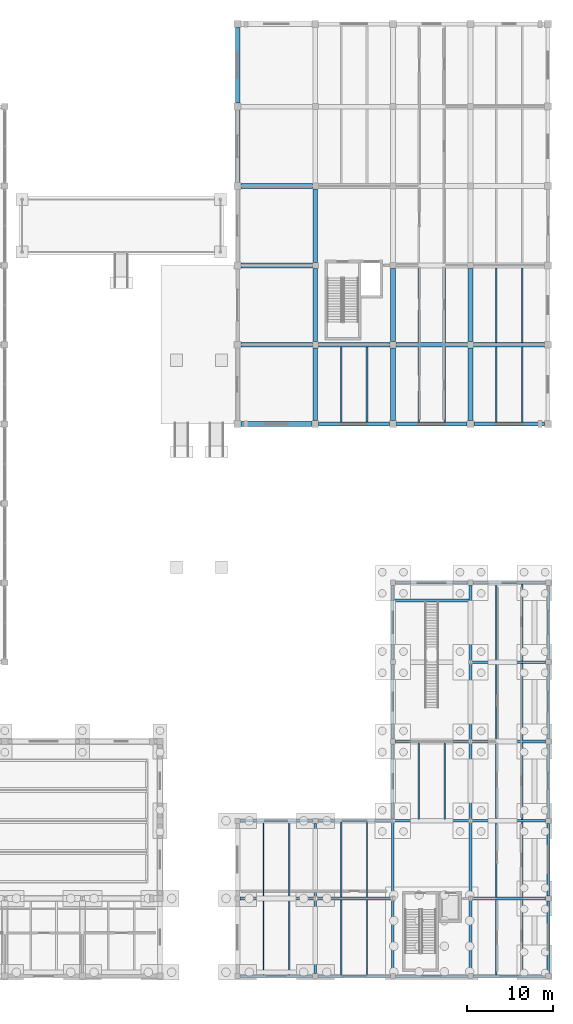
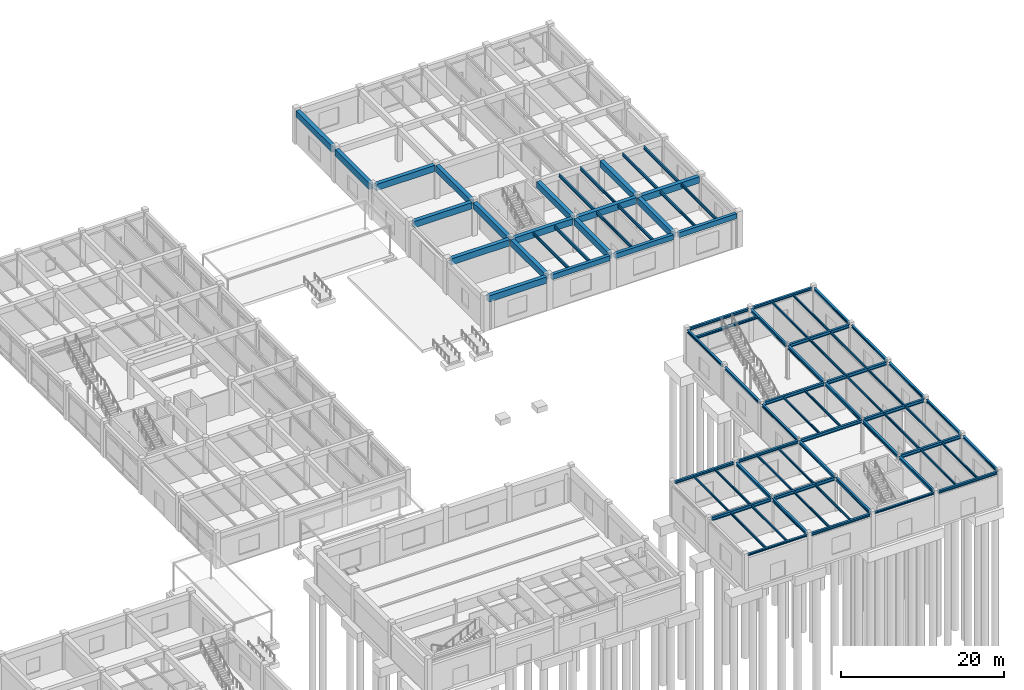
# One storey, part 34 of 76: 83 beams.
"""IFC4 building model written with IfcOpenShell, lengths in metres."""

import ifcopenshell
import ifcopenshell.guid

model = None  # the IFC model being written
_history = None  # IfcOwnerHistory: only IFC2X3 demands one
_inside = {}  # id of a spatial element -> (the spatial element, [elements in it])
_under = {}  # id of a project, library or spatial element -> (it, [spatial elements below it])
_declared = {}  # id of a project -> (the project, [libraries it declares])
_typed = {}  # id of a type object -> (the type object, [elements of that type])
_made_of = {}  # id of a material, layer set ... -> (it, [elements and type objects made of it])


def new_model(schema):
    """Start an empty IFC model of exactly this schema.

    Asked for "IFC4X3", IfcOpenShell would pick the latest addendum, in which some entities
    have other attributes; the version numbers below select the first issue.
    IFC2X3 requires an IfcOwnerHistory on every rooted entity: one is made here for all.
    """
    global model, _history
    if schema == "IFC4X3":
        model = ifcopenshell.file(schema_version=(4, 3, 0, 0))
    else:
        model = ifcopenshell.file(schema=schema)
    _inside.clear()
    _under.clear()
    _declared.clear()
    _typed.clear()
    _made_of.clear()
    _history = None
    if model.schema == "IFC2X3":
        org = make("IfcOrganization", Name="unknown")
        user = make(
            "IfcPersonAndOrganization",
            ThePerson=make("IfcPerson", FamilyName="unknown"),
            TheOrganization=org,
        )
        app = make(
            "IfcApplication",
            ApplicationDeveloper=org,
            Version="unknown",
            ApplicationFullName="unknown",
            ApplicationIdentifier="unknown",
        )
        _history = make(
            "IfcOwnerHistory",
            OwningUser=user,
            OwningApplication=app,
            ChangeAction="ADDED",
            CreationDate=0,
        )
    return model


def make(cls, **values):
    """One entity of the class cls with the attributes given. An attribute that is None is left unset."""
    return model.create_entity(
        cls, **{name: value for name, value in values.items() if value is not None}
    )


def rooted(cls, **values):
    """An entity with a GlobalId (a new one), such as an element, a storey or a relation."""
    return make(cls, GlobalId=ifcopenshell.guid.new(), OwnerHistory=_history, **values)


def si_unit(unit_type, name, prefix=None):
    """IfcSIUnit, for example si_unit("LENGTHUNIT", "METRE", prefix="MILLI")."""
    return make("IfcSIUnit", UnitType=unit_type, Prefix=prefix, Name=name)


def assignment(units):
    """IfcUnitAssignment: the units of a project."""
    return None if units is None else make("IfcUnitAssignment", Units=units)


def point(xyz):
    """IfcCartesianPoint."""
    return None if xyz is None else make("IfcCartesianPoint", Coordinates=xyz)


def direction(xyz):
    """IfcDirection."""
    return None if xyz is None else make("IfcDirection", DirectionRatios=xyz)


def frame(location, z_axis=None, x_axis=None):
    """IfcAxis2Placement3D, a coordinate frame: its origin and axes. An axis left out is left unset."""
    return make(
        "IfcAxis2Placement3D",
        Location=point(location),
        Axis=direction(z_axis),
        RefDirection=direction(x_axis),
    )


def frame_2d(location, x_axis=None):
    """IfcAxis2Placement2D, a coordinate frame in the plane: its origin and x axis."""
    return make(
        "IfcAxis2Placement2D", Location=point(location), RefDirection=direction(x_axis)
    )


def origin():
    """The frame at (0, 0, 0) with its axes left unset."""
    return frame((0.0, 0.0, 0.0))


def origin_2d():
    """The frame at (0, 0) in the plane with its x axis left unset."""
    return frame_2d((0.0, 0.0))


def place(relative_to, where):
    """IfcLocalPlacement: puts the frame where relative to a parent placement (None: the world)."""
    return make(
        "IfcLocalPlacement", PlacementRelTo=relative_to, RelativePlacement=where
    )


def context(
    kind, dimensions, precision=None, world=None, true_north=None, identifier=None
):
    """IfcGeometricRepresentationContext, for example the 3D "Model" context."""
    return make(
        "IfcGeometricRepresentationContext",
        ContextIdentifier=identifier,
        ContextType=kind,
        CoordinateSpaceDimension=dimensions,
        Precision=precision,
        WorldCoordinateSystem=world,
        TrueNorth=true_north,
    )


def subcontext(parent, identifier, kind, view, scale=None):
    """IfcGeometricRepresentationSubContext, for example "Body" below "Model"."""
    return make(
        "IfcGeometricRepresentationSubContext",
        ContextIdentifier=identifier,
        ContextType=kind,
        ParentContext=parent,
        TargetScale=scale,
        TargetView=view,
    )


def project(units=None, contexts=None):
    """IfcProject with its units and contexts."""
    return rooted(
        "IfcProject",
        Name="project",
        RepresentationContexts=contexts,
        UnitsInContext=assignment(units),
    )


def spatial(cls, under=None, at=None, **own):
    """A site, building, storey or space (cls), placed at a placement, below another one or the project."""
    s = rooted(cls, ObjectPlacement=at, **own)
    if under is not None:
        _under.setdefault(under.id(), (under, []))[1].append(s)
    return s


def profile(cls, at=None, kind="AREA", **sizes):
    """A parametric profile (cls). Its sizes go by their IFC names, for example OverallWidth=200.0."""
    return make(cls, ProfileType=kind, Position=at, **sizes)


def rectangle(**sizes):
    """IfcRectangleProfileDef."""
    return profile("IfcRectangleProfileDef", **sizes)


def i_section(**sizes):
    """IfcIShapeProfileDef."""
    return profile("IfcIShapeProfileDef", **sizes)


def extrude(swept, where, along, depth):
    """IfcExtrudedAreaSolid: the profile swept, set in the frame where, extruded along a direction by depth."""
    return make(
        "IfcExtrudedAreaSolid",
        SweptArea=swept,
        Position=where,
        ExtrudedDirection=direction(along),
        Depth=depth,
    )


def shape(context_of_items, identifier, shape_type, items):
    """IfcShapeRepresentation: the items that make up one representation, for example the "Body"."""
    return make(
        "IfcShapeRepresentation",
        ContextOfItems=context_of_items,
        RepresentationIdentifier=identifier,
        RepresentationType=shape_type,
        Items=items,
    )


def material(Name=None, Category=None):
    """IfcMaterial."""
    return make("IfcMaterial", Name=Name, Category=Category)


def material_profile(
    of_material, cross_section, Name=None, Category=None, Priority=None
):
    """IfcMaterialProfile: a cross section and its material."""
    return make(
        "IfcMaterialProfile",
        Name=Name,
        Material=of_material,
        Profile=cross_section,
        Priority=Priority,
        Category=Category,
    )


def profile_set(profiles, Name=None, composite=None):
    """IfcMaterialProfileSet."""
    return make(
        "IfcMaterialProfileSet",
        Name=Name,
        MaterialProfiles=profiles,
        CompositeProfile=composite,
    )


def made_of(thing, what):
    """Note that an element or type object is made of a material, layer set ...; save() writes the relation."""
    if what is not None:
        _made_of.setdefault(what.id(), (what, []))[1].append(thing)
    return thing


def type_object(cls, material=None, **own):
    """A type object (cls), such as IfcWallType, which elements share."""
    return made_of(rooted(cls, **own), material)


def element(
    cls,
    number,
    at=None,
    inside=None,
    cuts=None,
    type_object=None,
    material=None,
    context=None,
    identifier="Body",
    shape_type=None,
    held_by="IfcProductDefinitionShape",
    body=None,
    shapes=None,
    **own,
):
    """One element of the class cls, such as IfcWall. Its Tag is "e" and its number.

    at: its placement. inside: the storey or other place that contains it. cuts: it is an
    opening in that element (IfcRelVoidsElement). A single representation is given by context,
    identifier, shape_type and body (its items); several are given by shapes. held_by: the class
    of the entity that holds the representations. save() writes the other relations.
    """
    e = rooted(cls, Tag="e%d" % number, ObjectPlacement=at, **own)
    if body is not None:
        shapes = [shape(context, identifier, shape_type, body)]
    if shapes is not None:
        e.Representation = make(held_by, Representations=shapes)
    if inside is not None:
        _inside.setdefault(inside.id(), (inside, []))[1].append(e)
    if cuts is not None:
        rooted(
            "IfcRelVoidsElement", RelatingBuildingElement=cuts, RelatedOpeningElement=e
        )
    if type_object is not None:
        _typed.setdefault(type_object.id(), (type_object, []))[1].append(e)
    return made_of(e, material)


def aggregate(whole, parts):
    """IfcRelAggregates: a whole, such as a stair, and the parts it consists of."""
    return rooted("IfcRelAggregates", RelatingObject=whole, RelatedObjects=parts)


def save(model, path):
    """Write the relations noted so far, then the file.

    IfcRelAggregates (storeys below a building ...), IfcRelContainedInSpatialStructure (elements
    in a storey), IfcRelDefinesByType, IfcRelAssociatesMaterial and IfcRelDeclares: one each for
    every whole, place, type object, material and project.
    """
    for whole, parts in _under.values():
        aggregate(whole, parts)
    for where, things in _inside.values():
        rooted(
            "IfcRelContainedInSpatialStructure",
            RelatedElements=things,
            RelatingStructure=where,
        )
    for kind, things in _typed.values():
        rooted("IfcRelDefinesByType", RelatedObjects=things, RelatingType=kind)
    for what, things in _made_of.values():
        rooted("IfcRelAssociatesMaterial", RelatedObjects=things, RelatingMaterial=what)
    for by, libraries in _declared.values():
        rooted("IfcRelDeclares", RelatingContext=by, RelatedDefinitions=libraries)
    model.write(path)


model = new_model("IFC4")

# Units and contexts
model_context = context("Model", 3, precision=1e-05, world=origin(), true_north=direction((0.0, 1.0)))
body_context = subcontext(model_context, "Body", "Model", "MODEL_VIEW")
ifc_project = project(units=[si_unit("LENGTHUNIT", "METRE"), si_unit("AREAUNIT", "SQUARE_METRE"), si_unit("VOLUMEUNIT", "CUBIC_METRE"), si_unit("PLANEANGLEUNIT", "RADIAN"), si_unit("MASSUNIT", "GRAM", prefix="KILO")], contexts=[model_context])

# Site, building, storey
site_placement = place(None, origin())
site = spatial("IfcSite", under=ifc_project, at=site_placement, CompositionType="ELEMENT")
building_placement = place(site_placement, origin())
building = spatial("IfcBuilding", under=site, at=building_placement, Name="Bozkorgan Art Gallery", CompositionType="ELEMENT")
storey_placement = place(building_placement, origin())
storey = spatial("IfcBuildingStorey", under=building, at=storey_placement, Name="L00", CompositionType="ELEMENT", Elevation=0.0)

# Beams
ifc_material_1 = material(Name="Steel S355J2", Category="steel")
ifc_material_profile_1 = material_profile(ifc_material_1, i_section(OverallWidth=0.300048828125, OverallDepth=0.489990234375, WebThickness=0.011962890625, FlangeThickness=0.02294921875, FilletRadius=0.027099609375, at=origin_2d()), Name="HEA 500")
ifc_profile_set_1 = profile_set([ifc_material_profile_1], Name="Steel S355J2")
beam_type_1 = type_object("IfcBeamType", Name="BEAM-BM-42", PredefinedType="BEAM", material=ifc_profile_set_1)
beam_1_placement = place(storey_placement, frame((128.300048828125, 11.0, 4.81494140625), z_axis=(1.0, 0.0, 0.0), x_axis=(0.0, 1.0, 0.0)))
element("IfcBeam", 1, at=beam_1_placement, inside=storey, type_object=beam_type_1, Name="V6 L00 beam X (128-137, 11.0)", PredefinedType="BEAM", context=body_context, shape_type="SweptSolid", body=[
    extrude(i_section(OverallWidth=0.300048828125, OverallDepth=0.489990234375, WebThickness=0.011962890625, FlangeThickness=0.02294921875, FilletRadius=0.027099609375, at=origin_2d()), origin(), (0.0, 0.0, 1.0), 8.550048828125),
])
beam_2_placement = place(storey_placement, frame((137.14990234375, 11.0, 4.81494140625), z_axis=(1.0, 0.0, 0.0), x_axis=(0.0, 1.0, 0.0)))
element("IfcBeam", 2, at=beam_2_placement, inside=storey, type_object=beam_type_1, Name="V6 L00 beam X (137-146, 11.0)", PredefinedType="BEAM", context=body_context, shape_type="SweptSolid", body=[
    extrude(i_section(OverallWidth=0.300048828125, OverallDepth=0.489990234375, WebThickness=0.011962890625, FlangeThickness=0.02294921875, FilletRadius=0.027099609375, at=origin_2d()), origin(), (0.0, 0.0, 1.0), 8.7001953125),
])
beam_3_placement = place(storey_placement, frame((155.14990234375, 11.0, 4.81494140625), z_axis=(1.0, 0.0, 0.0), x_axis=(0.0, 1.0, 0.0)))
element("IfcBeam", 3, at=beam_3_placement, inside=storey, type_object=beam_type_1, Name="V6 L00 beam X (155-164, 11.0)", PredefinedType="BEAM", context=body_context, shape_type="SweptSolid", body=[
    extrude(i_section(OverallWidth=0.300048828125, OverallDepth=0.489990234375, WebThickness=0.011962890625, FlangeThickness=0.02294921875, FilletRadius=0.027099609375, at=origin_2d()), origin(), (0.0, 0.0, 1.0), 8.550048828125),
])
beam_4_placement = place(storey_placement, frame((146.14990234375, 20.0, 4.81494140625), z_axis=(1.0, 0.0, 0.0), x_axis=(0.0, 1.0, 0.0)))
element("IfcBeam", 4, at=beam_4_placement, inside=storey, type_object=beam_type_1, Name="V6 L00 beam X (146-155, 20.0)", PredefinedType="BEAM", context=body_context, shape_type="SweptSolid", body=[
    extrude(i_section(OverallWidth=0.300048828125, OverallDepth=0.489990234375, WebThickness=0.011962890625, FlangeThickness=0.02294921875, FilletRadius=0.027099609375, at=origin_2d()), origin(), (0.0, 0.0, 1.0), 8.7001953125),
])
for number, where, z_axis, x_axis, name in (
    (5, (155.14990234375, 20.0, 4.81494140625), (1.0, 0.0, 0.0), (0.0, 1.0, 0.0), "V6 L00 beam X (155-164, 20.0)"),
    (6, (146.300048828125, 29.199951171875, 4.81494140625), (1.0, 0.0, 0.0), (0.0, 1.0, 0.0), "V6 L00 beam X (146-155, 29.2)"),
    (7, (155.14990234375, 29.199951171875, 4.81494140625), (1.0, 0.0, 0.0), (0.0, 1.0, 0.0), "V6 L00 beam X (155-164, 29.2)"),
    (8, (155.14990234375, 38.39990234375, 4.81494140625), (1.0, 0.0, 0.0), (0.0, 1.0, 0.0), "V6 L00 beam X (155-164, 38.4)"),
):
    element("IfcBeam", number, at=place(storey_placement, frame(where, z_axis=z_axis, x_axis=x_axis)), inside=storey, type_object=beam_type_1, Name=name, PredefinedType="BEAM", context=body_context, shape_type="SweptSolid", body=[
        extrude(i_section(OverallWidth=0.300048828125, OverallDepth=0.489990234375, WebThickness=0.011962890625, FlangeThickness=0.02294921875, FilletRadius=0.027099609375, at=origin_2d()), origin(), (0.0, 0.0, 1.0), 8.550048828125),
    ])
for number, where, z_axis, x_axis, name in (
    (9, (137.0, 2.300048828125, 4.81494140625), (0.0, 1.0, 0.0), (-1.0, 0.0, 0.0), "V6 L00 beam Y (137, 2.0-11.0)"),
    (10, (137.0, 11.195068359375, 4.81494140625), (0.0, 1.0, 0.0), (-1.0, 0.0, 0.0), "V6 L00 beam Y (137, 11.0-20.0)"),
    (11, (146.0, 2.300048828125, 4.81494140625), (0.0, 1.0, 0.0), (-1.0, 0.0, 0.0), "V6 L00 beam Y (146, 2.0-11.0)"),
):
    element("IfcBeam", number, at=place(storey_placement, frame(where, z_axis=z_axis, x_axis=x_axis)), inside=storey, type_object=beam_type_1, Name=name, PredefinedType="BEAM", context=body_context, shape_type="SweptSolid", body=[
        extrude(i_section(OverallWidth=0.300048828125, OverallDepth=0.489990234375, WebThickness=0.011962890625, FlangeThickness=0.02294921875, FilletRadius=0.027099609375, at=origin_2d()), origin(), (0.0, 0.0, 1.0), 8.5048828125),
    ])
beam_5_placement = place(storey_placement, frame((146.0, 11.195068359375, 4.81494140625), z_axis=(0.0, 1.0, 0.0), x_axis=(-1.0, 0.0, 0.0)))
element("IfcBeam", 12, at=beam_5_placement, inside=storey, type_object=beam_type_1, Name="V6 L00 beam Y (146, 11.0-20.0)", PredefinedType="BEAM", context=body_context, shape_type="SweptSolid", body=[
    extrude(i_section(OverallWidth=0.300048828125, OverallDepth=0.489990234375, WebThickness=0.011962890625, FlangeThickness=0.02294921875, FilletRadius=0.027099609375, at=origin_2d()), origin(), (0.0, 0.0, 1.0), 8.60986328125),
])
beam_6_placement = place(storey_placement, frame((155.0, 2.300048828125, 4.81494140625), z_axis=(0.0, 1.0, 0.0), x_axis=(-1.0, 0.0, 0.0)))
element("IfcBeam", 13, at=beam_6_placement, inside=storey, type_object=beam_type_1, Name="V6 L00 beam Y (155, 2.0-11.0)", PredefinedType="BEAM", context=body_context, shape_type="SweptSolid", body=[
    extrude(i_section(OverallWidth=0.300048828125, OverallDepth=0.489990234375, WebThickness=0.011962890625, FlangeThickness=0.02294921875, FilletRadius=0.027099609375, at=origin_2d()), origin(), (0.0, 0.0, 1.0), 8.5048828125),
])
beam_7_placement = place(storey_placement, frame((155.0, 11.195068359375, 4.81494140625), z_axis=(0.0, 1.0, 0.0), x_axis=(-1.0, 0.0, 0.0)))
element("IfcBeam", 14, at=beam_7_placement, inside=storey, type_object=beam_type_1, Name="V6 L00 beam Y (155, 11.0-20.0)", PredefinedType="BEAM", context=body_context, shape_type="SweptSolid", body=[
    extrude(i_section(OverallWidth=0.300048828125, OverallDepth=0.489990234375, WebThickness=0.011962890625, FlangeThickness=0.02294921875, FilletRadius=0.027099609375, at=origin_2d()), origin(), (0.0, 0.0, 1.0), 8.60986328125),
])
beam_8_placement = place(storey_placement, frame((155.0, 20.195068359375, 4.81494140625), z_axis=(0.0, 1.0, 0.0), x_axis=(-1.0, 0.0, 0.0)))
element("IfcBeam", 15, at=beam_8_placement, inside=storey, type_object=beam_type_1, Name="V6 L00 beam Y (155, 20.0-29.2)", PredefinedType="BEAM", context=body_context, shape_type="SweptSolid", body=[
    extrude(i_section(OverallWidth=0.300048828125, OverallDepth=0.489990234375, WebThickness=0.011962890625, FlangeThickness=0.02294921875, FilletRadius=0.027099609375, at=origin_2d()), origin(), (0.0, 0.0, 1.0), 8.809814453125),
])
beam_9_placement = place(storey_placement, frame((155.0, 29.39501953125, 4.81494140625), z_axis=(0.0, 1.0, 0.0), x_axis=(-1.0, 0.0, 0.0)))
element("IfcBeam", 16, at=beam_9_placement, inside=storey, type_object=beam_type_1, Name="V6 L00 beam Y (155, 29.2-38.4)", PredefinedType="BEAM", context=body_context, shape_type="SweptSolid", body=[
    extrude(i_section(OverallWidth=0.300048828125, OverallDepth=0.489990234375, WebThickness=0.011962890625, FlangeThickness=0.02294921875, FilletRadius=0.027099609375, at=origin_2d()), origin(), (0.0, 0.0, 1.0), 8.81005859375),
])
beam_10_placement = place(storey_placement, frame((155.0, 38.594970703125, 4.81494140625), z_axis=(0.0, 1.0, 0.0), x_axis=(-1.0, 0.0, 0.0)))
element("IfcBeam", 17, at=beam_10_placement, inside=storey, type_object=beam_type_1, Name="V6 L00 beam Y (155, 38.4-47.6)", PredefinedType="BEAM", context=body_context, shape_type="SweptSolid", body=[
    extrude(i_section(OverallWidth=0.300048828125, OverallDepth=0.489990234375, WebThickness=0.011962890625, FlangeThickness=0.02294921875, FilletRadius=0.027099609375, at=origin_2d()), origin(), (0.0, 0.0, 1.0), 8.705078125),
])
ifc_material_2 = material(Name="Concrete C35/45", Category="concrete")
ifc_material_profile_2 = material_profile(ifc_material_2, rectangle(XDim=0.550048828125, YDim=0.949951171875, at=origin_2d()), Name="RC 550x950")
ifc_profile_set_2 = profile_set([ifc_material_profile_2], Name="Concrete C35/45")
beam_type_2 = type_object("IfcBeamType", Name="BEAM-BM-97", PredefinedType="BEAM", material=ifc_profile_set_2)
beam_11_placement = place(storey_placement, frame((128.39990234375, 66.0, 4.5849609375), z_axis=(1.0, 0.0, 0.0), x_axis=(0.0, 1.0, 0.0)))
element("IfcBeam", 18, at=beam_11_placement, inside=storey, type_object=beam_type_2, Name="V5 L00 beam X (128-137, 66.0)", PredefinedType="BEAM", context=body_context, shape_type="SweptSolid", body=[
    extrude(rectangle(XDim=0.550048828125, YDim=0.949951171875, at=origin_2d()), origin(), (0.0, 0.0, 1.0), 8.2001953125),
])
beam_12_placement = place(storey_placement, frame((128.39990234375, 75.199951171875, 4.5849609375), z_axis=(1.0, 0.0, 0.0), x_axis=(0.0, 1.0, 0.0)))
element("IfcBeam", 19, at=beam_12_placement, inside=storey, type_object=beam_type_2, Name="V5 L00 beam X (128-137, 75.2)", PredefinedType="BEAM", context=body_context, shape_type="SweptSolid", body=[
    extrude(rectangle(XDim=0.550048828125, YDim=0.949951171875, at=origin_2d()), origin(), (0.0, 0.0, 1.0), 8.25),
])
for number, where, z_axis, x_axis, name in (
    (20, (137.35009765625, 75.199951171875, 4.5849609375), (1.0, 0.0, 0.0), (0.0, 1.0, 0.0), "V5 L00 beam X (137-146, 75.2)"),
    (21, (146.35009765625, 75.199951171875, 4.5849609375), (1.0, 0.0, 0.0), (0.0, 1.0, 0.0), "V5 L00 beam X (146-155, 75.2)"),
):
    element("IfcBeam", number, at=place(storey_placement, frame(where, z_axis=z_axis, x_axis=x_axis)), inside=storey, type_object=beam_type_2, Name=name, PredefinedType="BEAM", context=body_context, shape_type="SweptSolid", body=[
        extrude(rectangle(XDim=0.550048828125, YDim=0.949951171875, at=origin_2d()), origin(), (0.0, 0.0, 1.0), 8.2998046875),
    ])
for number, where, z_axis, x_axis, name in (
    (22, (155.35009765625, 75.199951171875, 4.5849609375), (1.0, 0.0, 0.0), (0.0, 1.0, 0.0), "V5 L00 beam X (155-164, 75.2)"),
    (23, (128.39990234375, 84.39990234375, 4.5849609375), (1.0, 0.0, 0.0), (0.0, 1.0, 0.0), "V5 L00 beam X (128-137, 84.4)"),
    (24, (128.39990234375, 93.60009765625, 4.5849609375), (1.0, 0.0, 0.0), (0.0, 1.0, 0.0), "V5 L00 beam X (128-137, 93.6)"),
):
    element("IfcBeam", number, at=place(storey_placement, frame(where, z_axis=z_axis, x_axis=x_axis)), inside=storey, type_object=beam_type_2, Name=name, PredefinedType="BEAM", context=body_context, shape_type="SweptSolid", body=[
        extrude(rectangle(XDim=0.550048828125, YDim=0.949951171875, at=origin_2d()), origin(), (0.0, 0.0, 1.0), 8.25),
    ])
beam_13_placement = place(storey_placement, frame((128.0, 94.0, 4.5849609375), z_axis=(0.0, 1.0, 0.0), x_axis=(-1.0, 0.0, 0.0)))
element("IfcBeam", 25, at=beam_13_placement, inside=storey, type_object=beam_type_2, Name="V5 L00 beam Y (128, 93.6-102.8)", PredefinedType="BEAM", context=body_context, shape_type="SweptSolid", body=[
    extrude(rectangle(XDim=0.550048828125, YDim=0.949951171875, at=origin_2d()), origin(), (0.0, 0.0, 1.0), 8.39990234375),
])
beam_14_placement = place(storey_placement, frame((128.0, 103.199951171875, 4.5849609375), z_axis=(0.0, 1.0, 0.0), x_axis=(-1.0, 0.0, 0.0)))
element("IfcBeam", 26, at=beam_14_placement, inside=storey, type_object=beam_type_2, Name="V5 L00 beam Y (128, 102.8-112.4)", PredefinedType="BEAM", context=body_context, shape_type="SweptSolid", body=[
    extrude(rectangle(XDim=0.550048828125, YDim=0.949951171875, at=origin_2d()), origin(), (0.0, 0.0, 1.0), 8.800048828125),
])
beam_15_placement = place(storey_placement, frame((137.0, 66.39990234375, 4.5849609375), z_axis=(0.0, 1.0, 0.0), x_axis=(-1.0, 0.0, 0.0)))
element("IfcBeam", 27, at=beam_15_placement, inside=storey, type_object=beam_type_2, Name="V5 L00 beam Y (137, 66.0-75.2)", PredefinedType="BEAM", context=body_context, shape_type="SweptSolid", body=[
    extrude(rectangle(XDim=0.550048828125, YDim=0.949951171875, at=origin_2d()), origin(), (0.0, 0.0, 1.0), 8.4501953125),
])
for number, where, z_axis, x_axis, name in (
    (28, (137.0, 75.550048828125, 4.5849609375), (0.0, 1.0, 0.0), (-1.0, 0.0, 0.0), "V5 L00 beam Y (137, 75.2-84.4)"),
    (29, (137.0, 84.75, 4.5849609375), (0.0, 1.0, 0.0), (-1.0, 0.0, 0.0), "V5 L00 beam Y (137, 84.4-93.6)"),
):
    element("IfcBeam", number, at=place(storey_placement, frame(where, z_axis=z_axis, x_axis=x_axis)), inside=storey, type_object=beam_type_2, Name=name, PredefinedType="BEAM", context=body_context, shape_type="SweptSolid", body=[
        extrude(rectangle(XDim=0.550048828125, YDim=0.949951171875, at=origin_2d()), origin(), (0.0, 0.0, 1.0), 8.5),
    ])
beam_16_placement = place(storey_placement, frame((146.0, 66.39990234375, 4.5849609375), z_axis=(0.0, 1.0, 0.0), x_axis=(-1.0, 0.0, 0.0)))
element("IfcBeam", 30, at=beam_16_placement, inside=storey, type_object=beam_type_2, Name="V5 L00 beam Y (146, 66.0-75.2)", PredefinedType="BEAM", context=body_context, shape_type="SweptSolid", body=[
    extrude(rectangle(XDim=0.550048828125, YDim=0.949951171875, at=origin_2d()), origin(), (0.0, 0.0, 1.0), 8.4501953125),
])
beam_17_placement = place(storey_placement, frame((146.0, 75.550048828125, 4.5849609375), z_axis=(0.0, 1.0, 0.0), x_axis=(-1.0, 0.0, 0.0)))
element("IfcBeam", 31, at=beam_17_placement, inside=storey, type_object=beam_type_2, Name="V5 L00 beam Y (146, 75.2-84.4)", PredefinedType="BEAM", context=body_context, shape_type="SweptSolid", body=[
    extrude(rectangle(XDim=0.550048828125, YDim=0.949951171875, at=origin_2d()), origin(), (0.0, 0.0, 1.0), 8.5),
])
beam_18_placement = place(storey_placement, frame((155.0, 66.39990234375, 4.5849609375), z_axis=(0.0, 1.0, 0.0), x_axis=(-1.0, 0.0, 0.0)))
element("IfcBeam", 32, at=beam_18_placement, inside=storey, type_object=beam_type_2, Name="V5 L00 beam Y (155, 66.0-75.2)", PredefinedType="BEAM", context=body_context, shape_type="SweptSolid", body=[
    extrude(rectangle(XDim=0.550048828125, YDim=0.949951171875, at=origin_2d()), origin(), (0.0, 0.0, 1.0), 8.4501953125),
])
beam_19_placement = place(storey_placement, frame((155.0, 75.550048828125, 4.5849609375), z_axis=(0.0, 1.0, 0.0), x_axis=(-1.0, 0.0, 0.0)))
element("IfcBeam", 33, at=beam_19_placement, inside=storey, type_object=beam_type_2, Name="V5 L00 beam Y (155, 75.2-84.4)", PredefinedType="BEAM", context=body_context, shape_type="SweptSolid", body=[
    extrude(rectangle(XDim=0.550048828125, YDim=0.949951171875, at=origin_2d()), origin(), (0.0, 0.0, 1.0), 8.5),
])
ifc_material_profile_3 = material_profile(ifc_material_1, i_section(OverallWidth=0.159912109375, OverallDepth=0.330078125, WebThickness=0.007568359375, FlangeThickness=0.011474609375, FilletRadius=0.01806640625, at=origin_2d()), Name="IPE 330")
ifc_profile_set_3 = profile_set([ifc_material_profile_3], Name="Steel S355J2")
beam_type_3 = type_object("IfcBeamType", Name="BEAM-JS-33", PredefinedType="JOIST", material=ifc_profile_set_3)
for number, where, z_axis, x_axis, name in (
    (34, (131.0, 2.139892578125, 4.89501953125), (0.0, 1.0, 0.0), (-1.0, 0.0, 0.0), "V6 L00 secondary joist (128-137, 2.0-11.0) #1"),
    (35, (134.0, 2.139892578125, 4.89501953125), (0.0, 1.0, 0.0), (-1.0, 0.0, 0.0), "V6 L00 secondary joist (128-137, 2.0-11.0) #2"),
):
    element("IfcBeam", number, at=place(storey_placement, frame(where, z_axis=z_axis, x_axis=x_axis)), inside=storey, type_object=beam_type_3, Name=name, PredefinedType="JOIST", context=body_context, shape_type="SweptSolid", body=[
        extrude(i_section(OverallWidth=0.159912109375, OverallDepth=0.330078125, WebThickness=0.007568359375, FlangeThickness=0.011474609375, FilletRadius=0.01806640625, at=origin_2d()), origin(), (0.0, 0.0, 1.0), 8.710205078125),
    ])
for number, where, z_axis, x_axis, name in (
    (36, (131.0, 11.14990234375, 4.89501953125), (0.0, 1.0, 0.0), (-1.0, 0.0, 0.0), "V6 L00 secondary joist (128-137, 11.0-20.0) #1"),
    (37, (134.0, 11.14990234375, 4.89501953125), (0.0, 1.0, 0.0), (-1.0, 0.0, 0.0), "V6 L00 secondary joist (128-137, 11.0-20.0) #2"),
    (38, (140.0, 2.14990234375, 4.89501953125), (0.0, 1.0, 0.0), (-1.0, 0.0, 0.0), "V6 L00 secondary joist (137-146, 2.0-11.0) #1"),
    (39, (143.0, 2.14990234375, 4.89501953125), (0.0, 1.0, 0.0), (-1.0, 0.0, 0.0), "V6 L00 secondary joist (137-146, 2.0-11.0) #2"),
    (40, (140.0, 11.14990234375, 4.89501953125), (0.0, 1.0, 0.0), (-1.0, 0.0, 0.0), "V6 L00 secondary joist (137-146, 11.0-20.0) #1"),
    (41, (143.0, 11.14990234375, 4.89501953125), (0.0, 1.0, 0.0), (-1.0, 0.0, 0.0), "V6 L00 secondary joist (137-146, 11.0-20.0) #2"),
):
    element("IfcBeam", number, at=place(storey_placement, frame(where, z_axis=z_axis, x_axis=x_axis)), inside=storey, type_object=beam_type_3, Name=name, PredefinedType="JOIST", context=body_context, shape_type="SweptSolid", body=[
        extrude(i_section(OverallWidth=0.159912109375, OverallDepth=0.330078125, WebThickness=0.007568359375, FlangeThickness=0.011474609375, FilletRadius=0.01806640625, at=origin_2d()), origin(), (0.0, 0.0, 1.0), 8.7001953125),
    ])
for number, where, z_axis, x_axis, name in (
    (42, (149.0, 20.14990234375, 4.89501953125), (0.0, 1.0, 0.0), (-1.0, 0.0, 0.0), "V6 L00 secondary joist (146-155, 20.0-29.2) #1"),
    (43, (152.0, 20.14990234375, 4.89501953125), (0.0, 1.0, 0.0), (-1.0, 0.0, 0.0), "V6 L00 secondary joist (146-155, 20.0-29.2) #2"),
):
    element("IfcBeam", number, at=place(storey_placement, frame(where, z_axis=z_axis, x_axis=x_axis)), inside=storey, type_object=beam_type_3, Name=name, PredefinedType="JOIST", context=body_context, shape_type="SweptSolid", body=[
        extrude(i_section(OverallWidth=0.159912109375, OverallDepth=0.330078125, WebThickness=0.007568359375, FlangeThickness=0.011474609375, FilletRadius=0.01806640625, at=origin_2d()), origin(), (0.0, 0.0, 1.0), 8.900146484375),
    ])
for number, where, z_axis, x_axis, name in (
    (44, (158.0, 2.14990234375, 4.89501953125), (0.0, 1.0, 0.0), (-1.0, 0.0, 0.0), "V6 L00 secondary joist (155-164, 2.0-11.0) #1"),
    (45, (161.0, 2.14990234375, 4.89501953125), (0.0, 1.0, 0.0), (-1.0, 0.0, 0.0), "V6 L00 secondary joist (155-164, 2.0-11.0) #2"),
    (46, (158.0, 11.14990234375, 4.89501953125), (0.0, 1.0, 0.0), (-1.0, 0.0, 0.0), "V6 L00 secondary joist (155-164, 11.0-20.0) #1"),
    (47, (161.0, 11.14990234375, 4.89501953125), (0.0, 1.0, 0.0), (-1.0, 0.0, 0.0), "V6 L00 secondary joist (155-164, 11.0-20.0) #2"),
):
    element("IfcBeam", number, at=place(storey_placement, frame(where, z_axis=z_axis, x_axis=x_axis)), inside=storey, type_object=beam_type_3, Name=name, PredefinedType="JOIST", context=body_context, shape_type="SweptSolid", body=[
        extrude(i_section(OverallWidth=0.159912109375, OverallDepth=0.330078125, WebThickness=0.007568359375, FlangeThickness=0.011474609375, FilletRadius=0.01806640625, at=origin_2d()), origin(), (0.0, 0.0, 1.0), 8.7001953125),
    ])
for number, where, z_axis, x_axis, name in (
    (48, (158.0, 20.14990234375, 4.89501953125), (0.0, 1.0, 0.0), (-1.0, 0.0, 0.0), "V6 L00 secondary joist (155-164, 20.0-29.2) #1"),
    (49, (161.0, 20.14990234375, 4.89501953125), (0.0, 1.0, 0.0), (-1.0, 0.0, 0.0), "V6 L00 secondary joist (155-164, 20.0-29.2) #2"),
):
    element("IfcBeam", number, at=place(storey_placement, frame(where, z_axis=z_axis, x_axis=x_axis)), inside=storey, type_object=beam_type_3, Name=name, PredefinedType="JOIST", context=body_context, shape_type="SweptSolid", body=[
        extrude(i_section(OverallWidth=0.159912109375, OverallDepth=0.330078125, WebThickness=0.007568359375, FlangeThickness=0.011474609375, FilletRadius=0.01806640625, at=origin_2d()), origin(), (0.0, 0.0, 1.0), 8.900146484375),
    ])
for number, where, z_axis, x_axis, name in (
    (50, (158.0, 29.35009765625, 4.89501953125), (0.0, 1.0, 0.0), (-1.0, 0.0, 0.0), "V6 L00 secondary joist (155-164, 29.2-38.4) #1"),
    (51, (161.0, 29.35009765625, 4.89501953125), (0.0, 1.0, 0.0), (-1.0, 0.0, 0.0), "V6 L00 secondary joist (155-164, 29.2-38.4) #2"),
    (52, (158.0, 38.550048828125, 4.89501953125), (0.0, 1.0, 0.0), (-1.0, 0.0, 0.0), "V6 L00 secondary joist (155-164, 38.4-47.6) #1"),
    (53, (161.0, 38.550048828125, 4.89501953125), (0.0, 1.0, 0.0), (-1.0, 0.0, 0.0), "V6 L00 secondary joist (155-164, 38.4-47.6) #2"),
):
    element("IfcBeam", number, at=place(storey_placement, frame(where, z_axis=z_axis, x_axis=x_axis)), inside=storey, type_object=beam_type_3, Name=name, PredefinedType="JOIST", context=body_context, shape_type="SweptSolid", body=[
        extrude(i_section(OverallWidth=0.159912109375, OverallDepth=0.330078125, WebThickness=0.007568359375, FlangeThickness=0.011474609375, FilletRadius=0.01806640625, at=origin_2d()), origin(), (0.0, 0.0, 1.0), 8.89990234375),
    ])
ifc_material_profile_4 = material_profile(ifc_material_1, i_section(OverallWidth=0.18994140625, OverallDepth=0.449951171875, WebThickness=0.009521484375, FlangeThickness=0.0146484375, FilletRadius=0.02099609375, at=origin_2d()), Name="IPE 450")
ifc_profile_set_4 = profile_set([ifc_material_profile_4], Name="Steel S355J2")
beam_type_4 = type_object("IfcBeamType", Name="BEAM-JS-56", PredefinedType="JOIST", material=ifc_profile_set_4)
for number, where, z_axis, x_axis, name in (
    (54, (140.0, 66.22509765625, 4.8349609375), (0.0, 1.0, 0.0), (-1.0, 0.0, 0.0), "V5 L00 secondary joist (137-146, 66.0-75.2) #1"),
    (55, (143.0, 66.22509765625, 4.8349609375), (0.0, 1.0, 0.0), (-1.0, 0.0, 0.0), "V5 L00 secondary joist (137-146, 66.0-75.2) #2"),
    (56, (149.0, 66.22509765625, 4.8349609375), (0.0, 1.0, 0.0), (-1.0, 0.0, 0.0), "V5 L00 secondary joist (146-155, 66.0-75.2) #1"),
    (57, (152.0, 66.22509765625, 4.8349609375), (0.0, 1.0, 0.0), (-1.0, 0.0, 0.0), "V5 L00 secondary joist (146-155, 66.0-75.2) #2"),
):
    element("IfcBeam", number, at=place(storey_placement, frame(where, z_axis=z_axis, x_axis=x_axis)), inside=storey, type_object=beam_type_4, Name=name, PredefinedType="JOIST", context=body_context, shape_type="SweptSolid", body=[
        extrude(i_section(OverallWidth=0.18994140625, OverallDepth=0.449951171875, WebThickness=0.009521484375, FlangeThickness=0.0146484375, FilletRadius=0.02099609375, at=origin_2d()), origin(), (0.0, 0.0, 1.0), 8.699951171875),
    ])
for number, where, z_axis, x_axis, name in (
    (58, (149.0, 75.47509765625, 4.8349609375), (0.0, 1.0, 0.0), (-1.0, 0.0, 0.0), "V5 L00 secondary joist (146-155, 75.2-84.4) #1"),
    (59, (152.0, 75.47509765625, 4.8349609375), (0.0, 1.0, 0.0), (-1.0, 0.0, 0.0), "V5 L00 secondary joist (146-155, 75.2-84.4) #2"),
):
    element("IfcBeam", number, at=place(storey_placement, frame(where, z_axis=z_axis, x_axis=x_axis)), inside=storey, type_object=beam_type_4, Name=name, PredefinedType="JOIST", context=body_context, shape_type="SweptSolid", body=[
        extrude(i_section(OverallWidth=0.18994140625, OverallDepth=0.449951171875, WebThickness=0.009521484375, FlangeThickness=0.0146484375, FilletRadius=0.02099609375, at=origin_2d()), origin(), (0.0, 0.0, 1.0), 8.64990234375),
    ])
for number, where, z_axis, x_axis, name in (
    (60, (158.0, 66.22509765625, 4.8349609375), (0.0, 1.0, 0.0), (-1.0, 0.0, 0.0), "V5 L00 secondary joist (155-164, 66.0-75.2) #1"),
    (61, (161.0, 66.22509765625, 4.8349609375), (0.0, 1.0, 0.0), (-1.0, 0.0, 0.0), "V5 L00 secondary joist (155-164, 66.0-75.2) #2"),
):
    element("IfcBeam", number, at=place(storey_placement, frame(where, z_axis=z_axis, x_axis=x_axis)), inside=storey, type_object=beam_type_4, Name=name, PredefinedType="JOIST", context=body_context, shape_type="SweptSolid", body=[
        extrude(i_section(OverallWidth=0.18994140625, OverallDepth=0.449951171875, WebThickness=0.009521484375, FlangeThickness=0.0146484375, FilletRadius=0.02099609375, at=origin_2d()), origin(), (0.0, 0.0, 1.0), 8.699951171875),
    ])
for number, where, z_axis, x_axis, name in (
    (62, (158.0, 75.47509765625, 4.8349609375), (0.0, 1.0, 0.0), (-1.0, 0.0, 0.0), "V5 L00 secondary joist (155-164, 75.2-84.4) #1"),
    (63, (161.0, 75.47509765625, 4.8349609375), (0.0, 1.0, 0.0), (-1.0, 0.0, 0.0), "V5 L00 secondary joist (155-164, 75.2-84.4) #2"),
):
    element("IfcBeam", number, at=place(storey_placement, frame(where, z_axis=z_axis, x_axis=x_axis)), inside=storey, type_object=beam_type_4, Name=name, PredefinedType="JOIST", context=body_context, shape_type="SweptSolid", body=[
        extrude(i_section(OverallWidth=0.18994140625, OverallDepth=0.449951171875, WebThickness=0.009521484375, FlangeThickness=0.0146484375, FilletRadius=0.02099609375, at=origin_2d()), origin(), (0.0, 0.0, 1.0), 8.64990234375),
    ])
ifc_material_profile_5 = material_profile(ifc_material_1, i_section(OverallWidth=0.280029296875, OverallDepth=0.27001953125, WebThickness=0.008056640625, FlangeThickness=0.012939453125, FilletRadius=0.02392578125, at=origin_2d()), Name="HEA 280")
ifc_profile_set_5 = profile_set([ifc_material_profile_5], Name="Steel S355J2")
beam_type_5 = type_object("IfcBeamType", Name="BEAM-LN-17", PredefinedType="LINTEL", material=ifc_profile_set_5)
for number, where, z_axis, x_axis, name in (
    (64, (128.300048828125, 2.0, 4.925048828125), (1.0, 0.0, 0.0), (0.0, 1.0, 0.0), "V6 L00 lintel X (128-137, 2.0)"),
    (65, (146.300048828125, 2.0, 4.925048828125), (1.0, 0.0, 0.0), (0.0, 1.0, 0.0), "V6 L00 lintel X (146-155, 2.0)"),
):
    element("IfcBeam", number, at=place(storey_placement, frame(where, z_axis=z_axis, x_axis=x_axis)), inside=storey, type_object=beam_type_5, Name=name, PredefinedType="LINTEL", context=body_context, shape_type="SweptSolid", body=[
        extrude(i_section(OverallWidth=0.280029296875, OverallDepth=0.27001953125, WebThickness=0.008056640625, FlangeThickness=0.012939453125, FilletRadius=0.02392578125, at=origin_2d()), origin(), (0.0, 0.0, 1.0), 8.39990234375),
    ])
ifc_material_profile_6 = material_profile(ifc_material_2, rectangle(XDim=0.449951171875, YDim=0.75, at=origin_2d()), Name="RC 450x750")
ifc_profile_set_6 = profile_set([ifc_material_profile_6], Name="Concrete C35/45")
beam_type_6 = type_object("IfcBeamType", Name="BEAM-SP-27", PredefinedType="SPANDREL", material=ifc_profile_set_6)
for number, where, z_axis, x_axis, name in (
    (66, (137.39990234375, 66.0, 4.68505859375), (1.0, 0.0, 0.0), (0.0, 1.0, 0.0), "V5 L00 spandrel X (137-146, 66.0)"),
    (67, (146.39990234375, 66.0, 4.68505859375), (1.0, 0.0, 0.0), (0.0, 1.0, 0.0), "V5 L00 spandrel X (146-155, 66.0)"),
    (68, (155.39990234375, 66.0, 4.68505859375), (1.0, 0.0, 0.0), (0.0, 1.0, 0.0), "V5 L00 spandrel X (155-164, 66.0)"),
):
    element("IfcBeam", number, at=place(storey_placement, frame(where, z_axis=z_axis, x_axis=x_axis)), inside=storey, type_object=beam_type_6, Name=name, PredefinedType="SPANDREL", context=body_context, shape_type="SweptSolid", body=[
        extrude(rectangle(XDim=0.449951171875, YDim=0.75, at=origin_2d()), origin(), (0.0, 0.0, 1.0), 8.2001953125),
    ])
ifc_material_profile_7 = material_profile(ifc_material_1, i_section(OverallWidth=0.300048828125, OverallDepth=0.389892578125, WebThickness=0.010986328125, FlangeThickness=0.01904296875, FilletRadius=0.027099609375, at=origin_2d()), Name="HEA 400")
ifc_profile_set_7 = profile_set([ifc_material_profile_7], Name="Steel S355J2")
beam_type_7 = type_object("IfcBeamType", Name="BEAM-SP-65", PredefinedType="SPANDREL", material=ifc_profile_set_7)
for number, where, z_axis, x_axis, name in (
    (69, (137.300048828125, 2.0, 4.864990234375), (1.0, 0.0, 0.0), (0.0, 1.0, 0.0), "V6 L00 spandrel X (137-146, 2.0)"),
    (70, (155.300048828125, 2.0, 4.864990234375), (1.0, 0.0, 0.0), (0.0, 1.0, 0.0), "V6 L00 spandrel X (155-164, 2.0)"),
    (71, (128.300048828125, 20.0, 4.864990234375), (1.0, 0.0, 0.0), (0.0, 1.0, 0.0), "V6 L00 spandrel X (128-137, 20.0)"),
):
    element("IfcBeam", number, at=place(storey_placement, frame(where, z_axis=z_axis, x_axis=x_axis)), inside=storey, type_object=beam_type_7, Name=name, PredefinedType="SPANDREL", context=body_context, shape_type="SweptSolid", body=[
        extrude(i_section(OverallWidth=0.300048828125, OverallDepth=0.389892578125, WebThickness=0.010986328125, FlangeThickness=0.01904296875, FilletRadius=0.027099609375, at=origin_2d()), origin(), (0.0, 0.0, 1.0), 8.39990234375),
    ])
beam_20_placement = place(storey_placement, frame((137.300048828125, 20.0, 4.864990234375), z_axis=(1.0, 0.0, 0.0), x_axis=(0.0, 1.0, 0.0)))
element("IfcBeam", 72, at=beam_20_placement, inside=storey, type_object=beam_type_7, Name="V6 L00 spandrel X (137-146, 20.0)", PredefinedType="SPANDREL", context=body_context, shape_type="SweptSolid", body=[
    extrude(i_section(OverallWidth=0.300048828125, OverallDepth=0.389892578125, WebThickness=0.010986328125, FlangeThickness=0.01904296875, FilletRadius=0.027099609375, at=origin_2d()), origin(), (0.0, 0.0, 1.0), 8.550048828125),
])
for number, where, z_axis, x_axis, name in (
    (73, (146.300048828125, 47.60009765625, 4.864990234375), (1.0, 0.0, 0.0), (0.0, 1.0, 0.0), "V6 L00 spandrel X (146-155, 47.6)"),
    (74, (155.300048828125, 47.60009765625, 4.864990234375), (1.0, 0.0, 0.0), (0.0, 1.0, 0.0), "V6 L00 spandrel X (155-164, 47.6)"),
):
    element("IfcBeam", number, at=place(storey_placement, frame(where, z_axis=z_axis, x_axis=x_axis)), inside=storey, type_object=beam_type_7, Name=name, PredefinedType="SPANDREL", context=body_context, shape_type="SweptSolid", body=[
        extrude(i_section(OverallWidth=0.300048828125, OverallDepth=0.389892578125, WebThickness=0.010986328125, FlangeThickness=0.01904296875, FilletRadius=0.027099609375, at=origin_2d()), origin(), (0.0, 0.0, 1.0), 8.39990234375),
    ])
beam_21_placement = place(storey_placement, frame((146.0, 20.195068359375, 4.864990234375), z_axis=(0.0, 1.0, 0.0), x_axis=(-1.0, 0.0, 0.0)))
element("IfcBeam", 75, at=beam_21_placement, inside=storey, type_object=beam_type_7, Name="V6 L00 spandrel Y (146, 20.0-29.2)", PredefinedType="SPANDREL", context=body_context, shape_type="SweptSolid", body=[
    extrude(i_section(OverallWidth=0.300048828125, OverallDepth=0.389892578125, WebThickness=0.010986328125, FlangeThickness=0.01904296875, FilletRadius=0.027099609375, at=origin_2d()), origin(), (0.0, 0.0, 1.0), 8.704833984375),
])
for number, where, z_axis, x_axis, name in (
    (76, (146.0, 29.5, 4.864990234375), (0.0, 1.0, 0.0), (-1.0, 0.0, 0.0), "V6 L00 spandrel Y (146, 29.2-38.4)"),
    (77, (146.0, 38.699951171875, 4.864990234375), (0.0, 1.0, 0.0), (-1.0, 0.0, 0.0), "V6 L00 spandrel Y (146, 38.4-47.6)"),
):
    element("IfcBeam", number, at=place(storey_placement, frame(where, z_axis=z_axis, x_axis=x_axis)), inside=storey, type_object=beam_type_7, Name=name, PredefinedType="SPANDREL", context=body_context, shape_type="SweptSolid", body=[
        extrude(i_section(OverallWidth=0.300048828125, OverallDepth=0.389892578125, WebThickness=0.010986328125, FlangeThickness=0.01904296875, FilletRadius=0.027099609375, at=origin_2d()), origin(), (0.0, 0.0, 1.0), 8.60009765625),
    ])
for number, where, z_axis, x_axis, name in (
    (78, (164.0, 2.300048828125, 4.864990234375), (0.0, 1.0, 0.0), (-1.0, 0.0, 0.0), "V6 L00 spandrel Y (164, 2.0-11.0)"),
    (79, (164.0, 11.300048828125, 4.864990234375), (0.0, 1.0, 0.0), (-1.0, 0.0, 0.0), "V6 L00 spandrel Y (164, 11.0-20.0)"),
):
    element("IfcBeam", number, at=place(storey_placement, frame(where, z_axis=z_axis, x_axis=x_axis)), inside=storey, type_object=beam_type_7, Name=name, PredefinedType="SPANDREL", context=body_context, shape_type="SweptSolid", body=[
        extrude(i_section(OverallWidth=0.300048828125, OverallDepth=0.389892578125, WebThickness=0.010986328125, FlangeThickness=0.01904296875, FilletRadius=0.027099609375, at=origin_2d()), origin(), (0.0, 0.0, 1.0), 8.39990234375),
    ])
beam_22_placement = place(storey_placement, frame((164.0, 20.300048828125, 4.864990234375), z_axis=(0.0, 1.0, 0.0), x_axis=(-1.0, 0.0, 0.0)))
element("IfcBeam", 80, at=beam_22_placement, inside=storey, type_object=beam_type_7, Name="V6 L00 spandrel Y (164, 20.0-29.2)", PredefinedType="SPANDREL", context=body_context, shape_type="SweptSolid", body=[
    extrude(i_section(OverallWidth=0.300048828125, OverallDepth=0.389892578125, WebThickness=0.010986328125, FlangeThickness=0.01904296875, FilletRadius=0.027099609375, at=origin_2d()), origin(), (0.0, 0.0, 1.0), 8.599853515625),
])
for number, where, z_axis, x_axis, name in (
    (81, (164.0, 29.5, 4.864990234375), (0.0, 1.0, 0.0), (-1.0, 0.0, 0.0), "V6 L00 spandrel Y (164, 29.2-38.4)"),
    (82, (164.0, 38.699951171875, 4.864990234375), (0.0, 1.0, 0.0), (-1.0, 0.0, 0.0), "V6 L00 spandrel Y (164, 38.4-47.6)"),
):
    element("IfcBeam", number, at=place(storey_placement, frame(where, z_axis=z_axis, x_axis=x_axis)), inside=storey, type_object=beam_type_7, Name=name, PredefinedType="SPANDREL", context=body_context, shape_type="SweptSolid", body=[
        extrude(i_section(OverallWidth=0.300048828125, OverallDepth=0.389892578125, WebThickness=0.010986328125, FlangeThickness=0.01904296875, FilletRadius=0.027099609375, at=origin_2d()), origin(), (0.0, 0.0, 1.0), 8.60009765625),
    ])
ifc_material_profile_8 = material_profile(ifc_material_1, i_section(OverallWidth=0.300048828125, OverallDepth=0.35009765625, WebThickness=0.010009765625, FlangeThickness=0.017578125, FilletRadius=0.027099609375, at=origin_2d()), Name="HEA 360")
ifc_profile_set_8 = profile_set([ifc_material_profile_8], Name="Steel S355J2")
beam_type_8 = type_object("IfcBeamType", Name="BM-ATR-TRIM", PredefinedType="BEAM", material=ifc_profile_set_8)
beam_23_placement = place(storey_placement, frame((146.14990234375, 45.550048828125, 4.885009765625), z_axis=(1.0, 0.0, 0.0), x_axis=(0.0, 1.0, 0.0)))
element("IfcBeam", 83, at=beam_23_placement, inside=storey, type_object=beam_type_8, Name="ST11 upper arrival trimmer beam", PredefinedType="BEAM", context=body_context, shape_type="SweptSolid", body=[
    extrude(i_section(OverallWidth=0.300048828125, OverallDepth=0.35009765625, WebThickness=0.010009765625, FlangeThickness=0.017578125, FilletRadius=0.027099609375, at=origin_2d()), origin(), (0.0, 0.0, 1.0), 8.7001953125),
])

save(model, "model.ifc")
